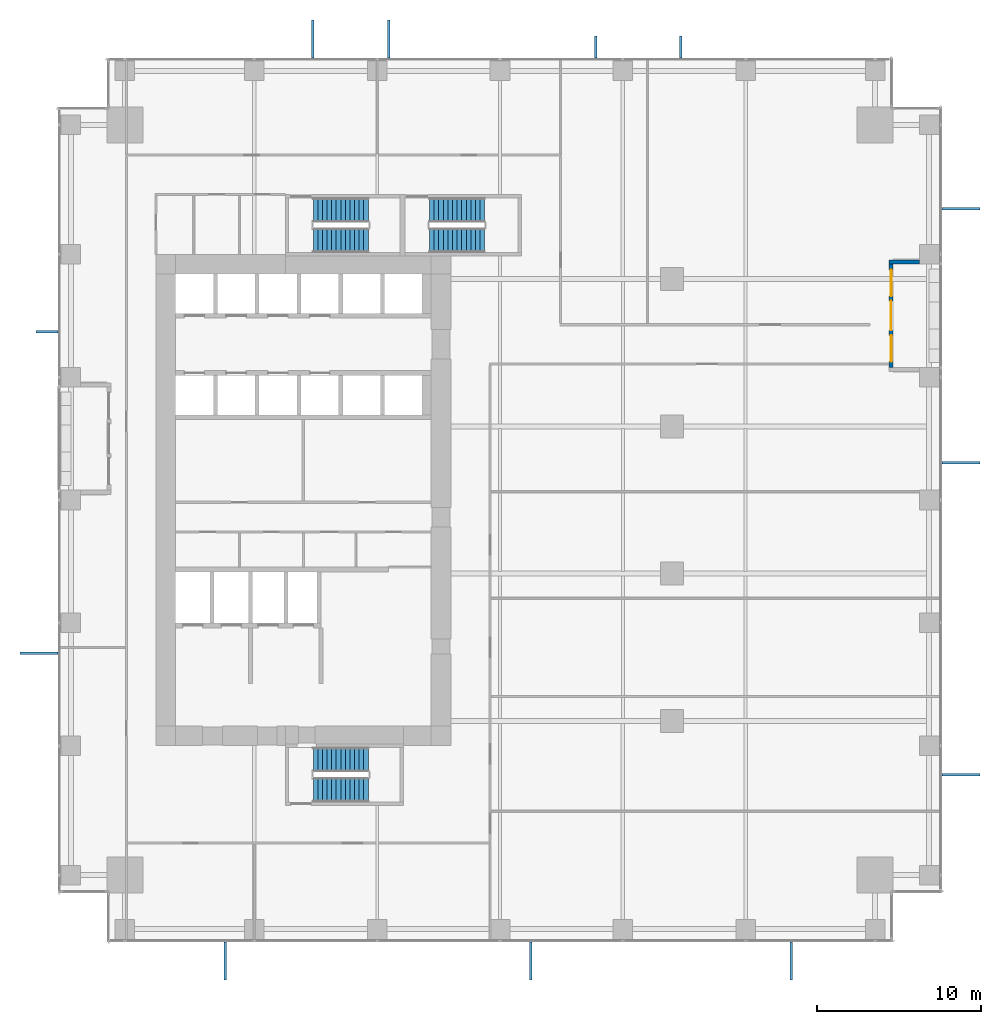
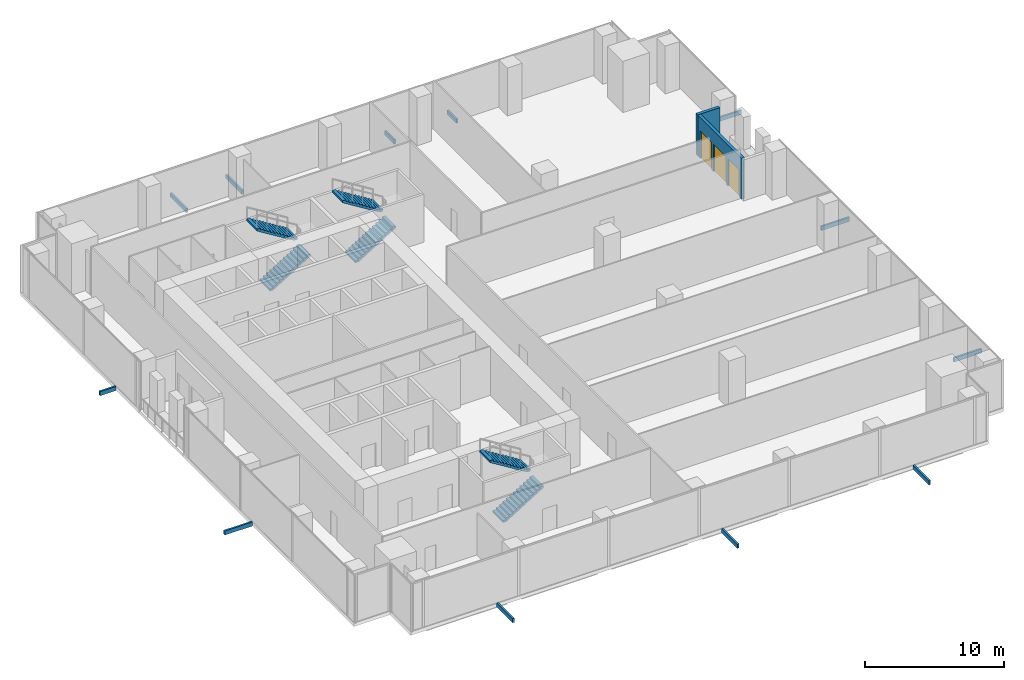
# One storey, part 29 of 32: 12 discrete accessories, 6 stair flights, 2 walls, 2 windows, 1 door, 3 openings, 3 elements without a shape of their own.
"""IFC4 building model written with IfcOpenShell, lengths in metres."""

import ifcopenshell
import ifcopenshell.guid

model = None  # the IFC model being written
_history = None  # IfcOwnerHistory: only IFC2X3 demands one
_inside = {}  # id of a spatial element -> (the spatial element, [elements in it])
_under = {}  # id of a project, library or spatial element -> (it, [spatial elements below it])
_declared = {}  # id of a project -> (the project, [libraries it declares])
_typed = {}  # id of a type object -> (the type object, [elements of that type])
_made_of = {}  # id of a material, layer set ... -> (it, [elements and type objects made of it])


def new_model(schema):
    """Start an empty IFC model of exactly this schema.

    Asked for "IFC4X3", IfcOpenShell would pick the latest addendum, in which some entities
    have other attributes; the version numbers below select the first issue.
    IFC2X3 requires an IfcOwnerHistory on every rooted entity: one is made here for all.
    """
    global model, _history
    if schema == "IFC4X3":
        model = ifcopenshell.file(schema_version=(4, 3, 0, 0))
    else:
        model = ifcopenshell.file(schema=schema)
    _inside.clear()
    _under.clear()
    _declared.clear()
    _typed.clear()
    _made_of.clear()
    _history = None
    if model.schema == "IFC2X3":
        org = make("IfcOrganization", Name="unknown")
        user = make(
            "IfcPersonAndOrganization",
            ThePerson=make("IfcPerson", FamilyName="unknown"),
            TheOrganization=org,
        )
        app = make(
            "IfcApplication",
            ApplicationDeveloper=org,
            Version="unknown",
            ApplicationFullName="unknown",
            ApplicationIdentifier="unknown",
        )
        _history = make(
            "IfcOwnerHistory",
            OwningUser=user,
            OwningApplication=app,
            ChangeAction="ADDED",
            CreationDate=0,
        )
    return model


def make(cls, **values):
    """One entity of the class cls with the attributes given. An attribute that is None is left unset."""
    return model.create_entity(
        cls, **{name: value for name, value in values.items() if value is not None}
    )


def rooted(cls, **values):
    """An entity with a GlobalId (a new one), such as an element, a storey or a relation."""
    return make(cls, GlobalId=ifcopenshell.guid.new(), OwnerHistory=_history, **values)


def si_unit(unit_type, name, prefix=None):
    """IfcSIUnit, for example si_unit("LENGTHUNIT", "METRE", prefix="MILLI")."""
    return make("IfcSIUnit", UnitType=unit_type, Prefix=prefix, Name=name)


def assignment(units):
    """IfcUnitAssignment: the units of a project."""
    return None if units is None else make("IfcUnitAssignment", Units=units)


def point(xyz):
    """IfcCartesianPoint."""
    return None if xyz is None else make("IfcCartesianPoint", Coordinates=xyz)


def direction(xyz):
    """IfcDirection."""
    return None if xyz is None else make("IfcDirection", DirectionRatios=xyz)


def frame(location, z_axis=None, x_axis=None):
    """IfcAxis2Placement3D, a coordinate frame: its origin and axes. An axis left out is left unset."""
    return make(
        "IfcAxis2Placement3D",
        Location=point(location),
        Axis=direction(z_axis),
        RefDirection=direction(x_axis),
    )


def frame_2d(location, x_axis=None):
    """IfcAxis2Placement2D, a coordinate frame in the plane: its origin and x axis."""
    return make(
        "IfcAxis2Placement2D", Location=point(location), RefDirection=direction(x_axis)
    )


def origin():
    """The frame at (0, 0, 0) with its axes left unset."""
    return frame((0.0, 0.0, 0.0))


def origin_2d():
    """The frame at (0, 0) in the plane with its x axis left unset."""
    return frame_2d((0.0, 0.0))


def place(relative_to, where):
    """IfcLocalPlacement: puts the frame where relative to a parent placement (None: the world)."""
    return make(
        "IfcLocalPlacement", PlacementRelTo=relative_to, RelativePlacement=where
    )


def context(
    kind, dimensions, precision=None, world=None, true_north=None, identifier=None
):
    """IfcGeometricRepresentationContext, for example the 3D "Model" context."""
    return make(
        "IfcGeometricRepresentationContext",
        ContextIdentifier=identifier,
        ContextType=kind,
        CoordinateSpaceDimension=dimensions,
        Precision=precision,
        WorldCoordinateSystem=world,
        TrueNorth=true_north,
    )


def subcontext(parent, identifier, kind, view, scale=None):
    """IfcGeometricRepresentationSubContext, for example "Body" below "Model"."""
    return make(
        "IfcGeometricRepresentationSubContext",
        ContextIdentifier=identifier,
        ContextType=kind,
        ParentContext=parent,
        TargetScale=scale,
        TargetView=view,
    )


def project(units=None, contexts=None):
    """IfcProject with its units and contexts."""
    return rooted(
        "IfcProject",
        Name="project",
        RepresentationContexts=contexts,
        UnitsInContext=assignment(units),
    )


def spatial(cls, under=None, at=None, **own):
    """A site, building, storey or space (cls), placed at a placement, below another one or the project."""
    s = rooted(cls, ObjectPlacement=at, **own)
    if under is not None:
        _under.setdefault(under.id(), (under, []))[1].append(s)
    return s


def polyline(points):
    """IfcPolyline through the points."""
    return make("IfcPolyline", Points=[point(p) for p in points])


def profile(cls, at=None, kind="AREA", **sizes):
    """A parametric profile (cls). Its sizes go by their IFC names, for example OverallWidth=200.0."""
    return make(cls, ProfileType=kind, Position=at, **sizes)


def rectangle(**sizes):
    """IfcRectangleProfileDef."""
    return profile("IfcRectangleProfileDef", **sizes)


def outline(outer, holes=None, kind="AREA"):
    """IfcArbitraryClosedProfileDef: a profile drawn as a closed curve; with holes, ...WithVoids."""
    if holes is None:
        return make("IfcArbitraryClosedProfileDef", ProfileType=kind, OuterCurve=outer)
    return make(
        "IfcArbitraryProfileDefWithVoids",
        ProfileType=kind,
        OuterCurve=outer,
        InnerCurves=holes,
    )


def extrude(swept, where, along, depth):
    """IfcExtrudedAreaSolid: the profile swept, set in the frame where, extruded along a direction by depth."""
    return make(
        "IfcExtrudedAreaSolid",
        SweptArea=swept,
        Position=where,
        ExtrudedDirection=direction(along),
        Depth=depth,
    )


def shape(context_of_items, identifier, shape_type, items):
    """IfcShapeRepresentation: the items that make up one representation, for example the "Body"."""
    return make(
        "IfcShapeRepresentation",
        ContextOfItems=context_of_items,
        RepresentationIdentifier=identifier,
        RepresentationType=shape_type,
        Items=items,
    )


def source(mapping_origin, context_of_items, identifier, shape_type, items):
    """IfcRepresentationMap: a shape defined once, which mapped items show again and again."""
    return make(
        "IfcRepresentationMap",
        MappingOrigin=mapping_origin,
        MappedRepresentation=shape(context_of_items, identifier, shape_type, items),
    )


def transform(
    local_origin,
    x_axis=None,
    y_axis=None,
    z_axis=None,
    scale=None,
    scale2=None,
    scale3=None,
    uniform=True,
):
    """IfcCartesianTransformationOperator3D, or its non-uniform kind. x_axis, y_axis, z_axis: its Axis1, 2, 3."""
    if uniform:
        return make(
            "IfcCartesianTransformationOperator3D",
            Axis1=direction(x_axis),
            Axis2=direction(y_axis),
            LocalOrigin=point(local_origin),
            Scale=scale,
            Axis3=direction(z_axis),
        )
    return make(
        "IfcCartesianTransformationOperator3DnonUniform",
        Axis1=direction(x_axis),
        Axis2=direction(y_axis),
        LocalOrigin=point(local_origin),
        Scale=scale,
        Axis3=direction(z_axis),
        Scale2=scale2,
        Scale3=scale3,
    )


def mapped(mapping_source, mapping_target):
    """IfcMappedItem: shows the shape of a source again, moved by a transform."""
    return make(
        "IfcMappedItem", MappingSource=mapping_source, MappingTarget=mapping_target
    )


def material(Name=None, Category=None):
    """IfcMaterial."""
    return make("IfcMaterial", Name=Name, Category=Category)


def layer(
    of_material, thickness, ventilated=None, Name=None, Category=None, Priority=None
):
    """IfcMaterialLayer: one layer of a wall or slab, of a material (None: an air gap)."""
    return make(
        "IfcMaterialLayer",
        Material=of_material,
        LayerThickness=thickness,
        IsVentilated=ventilated,
        Name=Name,
        Category=Category,
        Priority=Priority,
    )


def layer_set(layers, Name=None):
    """IfcMaterialLayerSet."""
    return make("IfcMaterialLayerSet", MaterialLayers=layers, LayerSetName=Name)


def made_of(thing, what):
    """Note that an element or type object is made of a material, layer set ...; save() writes the relation."""
    if what is not None:
        _made_of.setdefault(what.id(), (what, []))[1].append(thing)
    return thing


def type_object(cls, material=None, **own):
    """A type object (cls), such as IfcWallType, which elements share."""
    return made_of(rooted(cls, **own), material)


def element(
    cls,
    number,
    at=None,
    inside=None,
    cuts=None,
    type_object=None,
    material=None,
    context=None,
    identifier="Body",
    shape_type=None,
    held_by="IfcProductDefinitionShape",
    body=None,
    shapes=None,
    **own,
):
    """One element of the class cls, such as IfcWall. Its Tag is "e" and its number.

    at: its placement. inside: the storey or other place that contains it. cuts: it is an
    opening in that element (IfcRelVoidsElement). A single representation is given by context,
    identifier, shape_type and body (its items); several are given by shapes. held_by: the class
    of the entity that holds the representations. save() writes the other relations.
    """
    e = rooted(cls, Tag="e%d" % number, ObjectPlacement=at, **own)
    if body is not None:
        shapes = [shape(context, identifier, shape_type, body)]
    if shapes is not None:
        e.Representation = make(held_by, Representations=shapes)
    if inside is not None:
        _inside.setdefault(inside.id(), (inside, []))[1].append(e)
    if cuts is not None:
        rooted(
            "IfcRelVoidsElement", RelatingBuildingElement=cuts, RelatedOpeningElement=e
        )
    if type_object is not None:
        _typed.setdefault(type_object.id(), (type_object, []))[1].append(e)
    return made_of(e, material)


def fill(opening, filler):
    """IfcRelFillsElement: the door or window that sits in an opening."""
    return rooted(
        "IfcRelFillsElement",
        RelatingOpeningElement=opening,
        RelatedBuildingElement=filler,
    )


def aggregate(whole, parts):
    """IfcRelAggregates: a whole, such as a stair, and the parts it consists of."""
    return rooted("IfcRelAggregates", RelatingObject=whole, RelatedObjects=parts)


def save(model, path):
    """Write the relations noted so far, then the file.

    IfcRelAggregates (storeys below a building ...), IfcRelContainedInSpatialStructure (elements
    in a storey), IfcRelDefinesByType, IfcRelAssociatesMaterial and IfcRelDeclares: one each for
    every whole, place, type object, material and project.
    """
    for whole, parts in _under.values():
        aggregate(whole, parts)
    for where, things in _inside.values():
        rooted(
            "IfcRelContainedInSpatialStructure",
            RelatedElements=things,
            RelatingStructure=where,
        )
    for kind, things in _typed.values():
        rooted("IfcRelDefinesByType", RelatedObjects=things, RelatingType=kind)
    for what, things in _made_of.values():
        rooted("IfcRelAssociatesMaterial", RelatedObjects=things, RelatingMaterial=what)
    for by, libraries in _declared.values():
        rooted("IfcRelDeclares", RelatingContext=by, RelatedDefinitions=libraries)
    model.write(path)


model = new_model("IFC4")

# Units and contexts
model_context = context("Model", 3, precision=1e-05, world=origin(), true_north=direction((0.0, 1.0)))
body_context = subcontext(model_context, "Body", "Model", "MODEL_VIEW")
ifc_project = project(units=[si_unit("LENGTHUNIT", "METRE"), si_unit("AREAUNIT", "SQUARE_METRE"), si_unit("VOLUMEUNIT", "CUBIC_METRE"), si_unit("PLANEANGLEUNIT", "RADIAN"), si_unit("MASSUNIT", "GRAM", prefix="KILO")], contexts=[model_context])

# Site, building, storey
site_placement = place(None, origin())
site = spatial("IfcSite", under=ifc_project, at=site_placement, CompositionType="ELEMENT")
building_placement = place(site_placement, origin())
building = spatial("IfcBuilding", under=site, at=building_placement, Name="Khomas Fold Tower", CompositionType="ELEMENT")
storey_placement = place(building_placement, frame((0.0, 0.0, 64.5)))
storey = spatial("IfcBuildingStorey", under=building, at=storey_placement, Name="L13", CompositionType="ELEMENT", Elevation=64.5)

# Wall, openings, windows, door
ifc_material_1 = material(Name="Natural stone", Category="masonry")
ifc_layer_1 = layer(ifc_material_1, 0.0400390625)
ifc_material_2 = material(Name="Mineral wool insulation", Category="insulation")
ifc_layer_2 = layer(ifc_material_2, 0.10009765625)
ifc_material_3 = material(Name="Masonry", Category="masonry")
ifc_layer_3 = layer(ifc_material_3, 0.110107421875)
ifc_layer_set = layer_set([ifc_layer_1, ifc_layer_2, ifc_layer_3], Name="Stone-faced insulated masonry")
wall_type = type_object("IfcWallType", Name="BL-Balcony wall", PredefinedType="SOLIDWALL", material=ifc_layer_set)
shared_shape_1 = source(origin(), body_context, "Body", "SweptSolid", [
    extrude(rectangle(XDim=6.2998046875, YDim=0.25, at=frame_2d((3.14990234375, 0.0))), origin(), (0.0, 0.0, 1.0), 3.60009765625),
])
wall_1_placement = place(storey_placement, frame((50.875, 35.10009765625, 0.0), z_axis=(0.0, 0.0, 1.0), x_axis=(0.0, 1.0, 0.0)))
wall_1 = element("IfcWall", 1, at=wall_1_placement, inside=storey, type_object=wall_type, Name="Balcony wall BAL-L13-E4", PredefinedType="SOLIDWALL", context=body_context, shape_type="MappedRepresentation", body=[
    mapped(shared_shape_1, transform((0.0, 0.0, 0.0))),
])
shared_shape_2 = source(origin(), body_context, "Body", "SweptSolid", [
    extrude(rectangle(XDim=1.60009765625, YDim=2.39990234375, at=frame_2d((0.800048828125, 1.199951171875))), frame((0.0, 0.135009765625, 0.0), z_axis=(0.0, -1.0, 0.0), x_axis=(1.0, 0.0, 0.0)), (0.0, 0.0, 1.0), 0.27001953125),
])
opening_1_placement = place(wall_1_placement, frame((0.35009765625, 0.0, 0.0)))
opening_1 = element("IfcOpeningElement", 2, at=opening_1_placement, cuts=wall_1, Name="Opening BL-W1", PredefinedType="OPENING", context=body_context, shape_type="MappedRepresentation", body=[
    mapped(shared_shape_2, transform((0.0, 0.0, 0.0))),
])
opening_2_placement = place(wall_1_placement, frame((4.35009765625, 0.0, 0.0)))
opening_2 = element("IfcOpeningElement", 3, at=opening_2_placement, cuts=wall_1, Name="Opening BL-W1", PredefinedType="OPENING", context=body_context, shape_type="MappedRepresentation", body=[
    mapped(shared_shape_2, transform((0.0, 0.0, 0.0))),
])
shared_shape_3 = source(origin(), body_context, "Body", "SweptSolid", [
    extrude(rectangle(XDim=1.800048828125, YDim=2.39990234375, at=frame_2d((0.89990234375, 1.199951171875))), frame((0.0, 0.135009765625, 0.0), z_axis=(0.0, -1.0, 0.0), x_axis=(1.0, 0.0, 0.0)), (0.0, 0.0, 1.0), 0.27001953125),
])
opening_3_placement = place(wall_1_placement, frame((2.25, 0.0, 0.0)))
opening_3 = element("IfcOpeningElement", 4, at=opening_3_placement, cuts=wall_1, Name="Opening BD131", PredefinedType="OPENING", context=body_context, shape_type="MappedRepresentation", body=[
    mapped(shared_shape_3, transform((0.0, 0.0, 0.0))),
])
ifc_material_4 = material(Name="Aluminium framed double glazing", Category="aluminium")
window_type = type_object("IfcWindowType", Name="BL-Fixed glazing 1600 x 2400", PartitioningType="SINGLE_PANEL", PredefinedType="WINDOW", material=ifc_material_4)
shared_shape_4 = source(origin(), body_context, "Body", "SweptSolid", [
    extrude(rectangle(XDim=1.60009765625, YDim=2.39990234375, at=frame_2d((0.800048828125, 1.199951171875))), frame((0.0, 0.030029296875, 0.0), z_axis=(0.0, -1.0, 0.0), x_axis=(1.0, 0.0, 0.0)), (0.0, 0.0, 1.0), 0.06005859375),
])
window_1_placement = place(opening_1_placement, origin())
window_1 = element("IfcWindow", 5, at=window_1_placement, inside=storey, type_object=window_type, Name="Balcony glazing BAL-L13-E4-1", OverallHeight=2.39990234375, OverallWidth=1.60009765625, PartitioningType="SINGLE_PANEL", PredefinedType="WINDOW", context=body_context, shape_type="MappedRepresentation", body=[
    mapped(shared_shape_4, transform((0.0, 0.0, 0.0))),
])
fill(opening_1, window_1)
window_2_placement = place(opening_2_placement, origin())
window_2 = element("IfcWindow", 6, at=window_2_placement, inside=storey, type_object=window_type, Name="Balcony glazing BAL-L13-E4-2", OverallHeight=2.39990234375, OverallWidth=1.60009765625, PartitioningType="SINGLE_PANEL", PredefinedType="WINDOW", context=body_context, shape_type="MappedRepresentation", body=[
    mapped(shared_shape_4, transform((0.0, 0.0, 0.0))),
])
fill(opening_2, window_2)
ifc_material_5 = material(Name="Aluminium framed double glazing", Category="aluminium")
door_type = type_object("IfcDoorType", Name="BL-Glazed balcony door 1800 x 2400", OperationType="DOUBLE_DOOR_DOUBLE_SWING", PredefinedType="DOOR", material=ifc_material_5)
shared_shape_5 = source(origin(), body_context, "Body", "SweptSolid", [
    extrude(rectangle(XDim=1.800048828125, YDim=2.39990234375, at=frame_2d((0.89990234375, 1.199951171875))), frame((0.0, 0.02490234375, 0.0), z_axis=(0.0, -1.0, 0.0), x_axis=(1.0, 0.0, 0.0)), (0.0, 0.0, 1.0), 0.050048828125),
])
door_placement = place(opening_3_placement, origin())
door = element("IfcDoor", 7, at=door_placement, inside=storey, type_object=door_type, Name="Balcony door BD131", OperationType="DOUBLE_DOOR_DOUBLE_SWING", OverallHeight=2.39990234375, OverallWidth=1.800048828125, PredefinedType="DOOR", context=body_context, shape_type="MappedRepresentation", body=[
    mapped(shared_shape_5, transform((0.0, 0.0, 0.0))),
])
fill(opening_3, door)

# Wall
shared_shape_6 = source(origin(), body_context, "Body", "SweptSolid", [
    extrude(rectangle(XDim=1.85009765625, YDim=0.25, at=frame_2d((0.925048828125, 0.0))), origin(), (0.0, 0.0, 1.0), 3.60009765625),
])
wall_2_placement = place(storey_placement, frame((52.60009765625, 41.52490234375, 0.0), z_axis=(0.0, 0.0, 1.0), x_axis=(-1.0, 0.0, 0.0)))
element("IfcWall", 8, at=wall_2_placement, inside=storey, type_object=wall_type, Name="Balcony return wall BAL-L13-E4-hi", PredefinedType="SOLIDWALL", context=body_context, shape_type="MappedRepresentation", body=[
    mapped(shared_shape_6, transform((0.0, 0.0, 0.0))),
])

# Stair, stair flights
ifc_material_6 = material(Name="Concrete C40/50", Category="concrete")
stair_type_1 = type_object("IfcStairType", Name="Stair ST1", PredefinedType="HALF_TURN_STAIR", material=ifc_material_6)
stair_1_placement = place(storey_placement, origin())
stair_1 = element("IfcStair", 9, at=stair_1_placement, inside=storey, type_object=stair_type_1, Name="L13 ST1", PredefinedType="HALF_TURN_STAIR")
ifc_material_7 = material(Name="Concrete C40/50", Category="concrete")
stair_flight_type_1 = type_object("IfcStairFlightType", Name="Stair flight 1500 ST1", PredefinedType="STRAIGHT", material=ifc_material_7)
shared_shape_7 = source(origin(), body_context, "Body", "SweptSolid", [
    extrude(outline(polyline([(0.0, 0.0), (0.0, 0.013427734375), (0.0, 0.026611328125), (0.0, 0.0400390625), (0.0, 0.05322265625), (0.0, 0.066650390625), (0.0, 0.079833984375), (0.0, 0.09326171875), (0.0, 0.1064453125), (0.0, 0.119873046875), (0.0, 0.133056640625), (0.0, 0.146484375), (0.0, 0.15966796875), (0.0, 0.173095703125), (0.280029296875, 0.173095703125), (0.280029296875, 0.34619140625), (0.56005859375, 0.34619140625), (0.56005859375, 0.519287109375), (0.840087890625, 0.519287109375), (0.840087890625, 0.6923828125), (1.1201171875, 0.6923828125), (1.1201171875, 0.865478515625), (1.39990234375, 0.865478515625), (1.39990234375, 1.03857421875), (1.679931640625, 1.03857421875), (1.679931640625, 1.21142578125), (1.9599609375, 1.21142578125), (1.9599609375, 1.384521484375), (2.239990234375, 1.384521484375), (2.239990234375, 1.5576171875), (2.52001953125, 1.5576171875), (2.52001953125, 1.730712890625), (2.800048828125, 1.730712890625), (2.800048828125, 1.90380859375), (3.080078125, 1.90380859375), (3.080078125, 2.076904296875), (3.360107421875, 2.076904296875), (3.360107421875, 2.25), (3.360107421875, 2.22314453125), (3.360107421875, 2.1962890625), (3.360107421875, 2.16943359375), (3.360107421875, 2.142578125), (3.360107421875, 2.11572265625), (3.360107421875, 2.0888671875), (3.360107421875, 2.06201171875), (3.360107421875, 2.03515625), (3.360107421875, 2.008056640625), (3.360107421875, 1.981201171875), (3.360107421875, 1.954345703125), (3.360107421875, 1.927490234375), (3.360107421875, 1.900634765625), (0.28515625, 0.0), (0.0, 0.0)])), frame((0.0, 0.75, 0.0), z_axis=(0.0, -1.0, 0.0), x_axis=(1.0, 0.0, 0.0)), (0.0, 0.0, 1.0), 1.5),
])
stair_flight_1_placement = place(storey_placement, frame((15.60009765625, 42.85009765625, 0.0), z_axis=(0.0, 0.0, 1.0), x_axis=(1.0, 0.0, 0.0)))
stair_flight_1 = element("IfcStairFlight", 10, at=stair_flight_1_placement, type_object=stair_flight_type_1, Name="ST1 flight 1", NumberOfRisers=13, NumberOfTreads=12, PredefinedType="STRAIGHT", RiserHeight=0.173076923, TreadLength=0.28, context=body_context, shape_type="MappedRepresentation", body=[
    mapped(shared_shape_7, transform((0.0, 0.0, 0.0))),
])
stair_flight_2_placement = place(storey_placement, frame((18.9599609375, 44.699951171875, 2.25), z_axis=(0.0, 0.0, 1.0), x_axis=(-1.0, 0.0, 0.0)))
stair_flight_2 = element("IfcStairFlight", 11, at=stair_flight_2_placement, type_object=stair_flight_type_1, Name="ST1 flight 2", NumberOfRisers=13, NumberOfTreads=12, PredefinedType="STRAIGHT", RiserHeight=0.173076923, TreadLength=0.28, context=body_context, shape_type="MappedRepresentation", body=[
    mapped(shared_shape_7, transform((0.0, 0.0, 0.0))),
])
aggregate(stair_1, [stair_flight_1, stair_flight_2])

ifc_material_8 = material(Name="Concrete C40/50", Category="concrete")
stair_type_2 = type_object("IfcStairType", Name="Stair ST2", PredefinedType="HALF_TURN_STAIR", material=ifc_material_8)
stair_2_placement = place(storey_placement, origin())
stair_2 = element("IfcStair", 12, at=stair_2_placement, inside=storey, type_object=stair_type_2, Name="L13 ST2", PredefinedType="HALF_TURN_STAIR")
ifc_material_9 = material(Name="Concrete C40/50", Category="concrete")
stair_flight_type_2 = type_object("IfcStairFlightType", Name="Stair flight 1500 ST2", PredefinedType="STRAIGHT", material=ifc_material_9)
stair_flight_3_placement = place(storey_placement, frame((15.60009765625, 9.300048828125, 0.0), z_axis=(0.0, 0.0, 1.0), x_axis=(1.0, 0.0, 0.0)))
stair_flight_3 = element("IfcStairFlight", 13, at=stair_flight_3_placement, type_object=stair_flight_type_2, Name="ST2 flight 1", NumberOfRisers=13, NumberOfTreads=12, PredefinedType="STRAIGHT", RiserHeight=0.173076923, TreadLength=0.28, context=body_context, shape_type="MappedRepresentation", body=[
    mapped(shared_shape_7, transform((0.0, 0.0, 0.0))),
])
stair_flight_4_placement = place(storey_placement, frame((18.9599609375, 11.14990234375, 2.25), z_axis=(0.0, 0.0, 1.0), x_axis=(-1.0, 0.0, 0.0)))
stair_flight_4 = element("IfcStairFlight", 14, at=stair_flight_4_placement, type_object=stair_flight_type_2, Name="ST2 flight 2", NumberOfRisers=13, NumberOfTreads=12, PredefinedType="STRAIGHT", RiserHeight=0.173076923, TreadLength=0.28, context=body_context, shape_type="MappedRepresentation", body=[
    mapped(shared_shape_7, transform((0.0, 0.0, 0.0))),
])
aggregate(stair_2, [stair_flight_3, stair_flight_4])

ifc_material_10 = material(Name="Concrete C40/50", Category="concrete")
stair_type_3 = type_object("IfcStairType", Name="Stair ST3", PredefinedType="HALF_TURN_STAIR", material=ifc_material_10)
stair_3_placement = place(storey_placement, origin())
stair_3 = element("IfcStair", 15, at=stair_3_placement, inside=storey, type_object=stair_type_3, Name="L13 ST3", PredefinedType="HALF_TURN_STAIR")
ifc_material_11 = material(Name="Concrete C40/50", Category="concrete")
stair_flight_type_3 = type_object("IfcStairFlightType", Name="Stair flight 1500 ST3", PredefinedType="STRAIGHT", material=ifc_material_11)
stair_flight_5_placement = place(storey_placement, frame((22.699951171875, 42.85009765625, 0.0), z_axis=(0.0, 0.0, 1.0), x_axis=(1.0, 0.0, 0.0)))
stair_flight_5 = element("IfcStairFlight", 16, at=stair_flight_5_placement, type_object=stair_flight_type_3, Name="ST3 flight 1", NumberOfRisers=13, NumberOfTreads=12, PredefinedType="STRAIGHT", RiserHeight=0.173076923, TreadLength=0.28, context=body_context, shape_type="MappedRepresentation", body=[
    mapped(shared_shape_7, transform((0.0, 0.0, 0.0))),
])
stair_flight_6_placement = place(storey_placement, frame((26.06005859375, 44.699951171875, 2.25), z_axis=(0.0, 0.0, 1.0), x_axis=(-1.0, 0.0, 0.0)))
stair_flight_6 = element("IfcStairFlight", 17, at=stair_flight_6_placement, type_object=stair_flight_type_3, Name="ST3 flight 2", NumberOfRisers=13, NumberOfTreads=12, PredefinedType="STRAIGHT", RiserHeight=0.173076923, TreadLength=0.28, context=body_context, shape_type="MappedRepresentation", body=[
    mapped(shared_shape_7, transform((0.0, 0.0, 0.0))),
])
aggregate(stair_3, [stair_flight_5, stair_flight_6])

# Discrete accessories
ifc_material_12 = material(Name="Stainless steel", Category="steel")
discrete_accessory_type = type_object("IfcDiscreteAccessoryType", Name="SK-Stainless steel stone bracket", PredefinedType="BRACKET", material=ifc_material_12)
shared_shape_8 = source(origin(), body_context, "Body", "SweptSolid", [
    extrude(rectangle(XDim=2.305908203125, YDim=0.14990234375, at=origin_2d()), origin(), (0.0, 0.0, 1.0), 0.360107421875),
])
for number, where, z_axis, x_axis, name in (
    (18, (10.216796875, -1.15283203125, -0.30029296875), (0.0, 0.0, 1.0), (0.0, -1.0, 0.0), "Stone bracket L13 SS03-1-4"),
    (19, (28.877685546875, -1.15283203125, -0.30029296875), (0.0, 0.0, 1.0), (0.0, -1.0, 0.0), "Stone bracket L13 SS06-2-4"),
    (20, (44.794921875, -1.15283203125, -0.30029296875), (0.0, 0.0, 1.0), (0.0, -1.0, 0.0), "Stone bracket L13 SS09-3-4"),
    (21, (55.15283203125, 10.216796875, -0.30029296875), (0.0, 0.0, 1.0), (1.0, 0.0, 0.0), "Stone bracket L13 ES03-1-2"),
    (22, (55.15283203125, 29.273193359375, -0.30029296875), (0.0, 0.0, 1.0), (1.0, 0.0, 0.0), "Stone bracket L13 ES06-2-2"),
    (23, (55.15283203125, 44.794921875, -0.30029296875), (0.0, 0.0, 1.0), (1.0, 0.0, 0.0), "Stone bracket L13 ES09-3-2"),
    (24, (15.574951171875, 55.15283203125, -0.30029296875), (0.0, 0.0, 1.0), (0.0, 1.0, 0.0), "Stone bracket L13 NS05-1-3"),
    (25, (20.20263671875, 55.15283203125, -0.30029296875), (0.0, 0.0, 1.0), (0.0, 1.0, 0.0), "Stone bracket L13 NS05-1-4"),
    (26, (-1.15283203125, 17.6572265625, -0.30029296875), (0.0, 0.0, 1.0), (-1.0, 0.0, 0.0), "Stone bracket L13 WS05-1-3"),
):
    element("IfcDiscreteAccessory", number, at=place(storey_placement, frame(where, z_axis=z_axis, x_axis=x_axis)), inside=storey, type_object=discrete_accessory_type, Name=name, PredefinedType="BRACKET", context=body_context, shape_type="MappedRepresentation", body=[
        mapped(shared_shape_8, transform((0.0, 0.0, 0.0))),
    ])
shared_shape_9 = source(origin(), body_context, "Body", "SweptSolid", [
    extrude(rectangle(XDim=1.33935546875, YDim=0.14990234375, at=origin_2d()), origin(), (0.0, 0.0, 1.0), 0.360107421875),
])
for number, where, z_axis, x_axis, name in (
    (27, (32.855224609375, 54.669677734375, -0.30029296875), (0.0, 0.0, 1.0), (0.0, 1.0, 0.0), "Stone bracket L13 NS08-2-3"),
    (28, (38.0322265625, 54.669677734375, -0.30029296875), (0.0, 0.0, 1.0), (0.0, 1.0, 0.0), "Stone bracket L13 NS08-2-4"),
    (29, (-0.669677734375, 37.285400390625, -0.30029296875), (0.0, 0.0, 1.0), (-1.0, 0.0, 0.0), "Stone bracket L13 WS08-2-2"),
):
    element("IfcDiscreteAccessory", number, at=place(storey_placement, frame(where, z_axis=z_axis, x_axis=x_axis)), inside=storey, type_object=discrete_accessory_type, Name=name, PredefinedType="BRACKET", context=body_context, shape_type="MappedRepresentation", body=[
        mapped(shared_shape_9, transform((0.0, 0.0, 0.0))),
    ])

save(model, "model.ifc")
